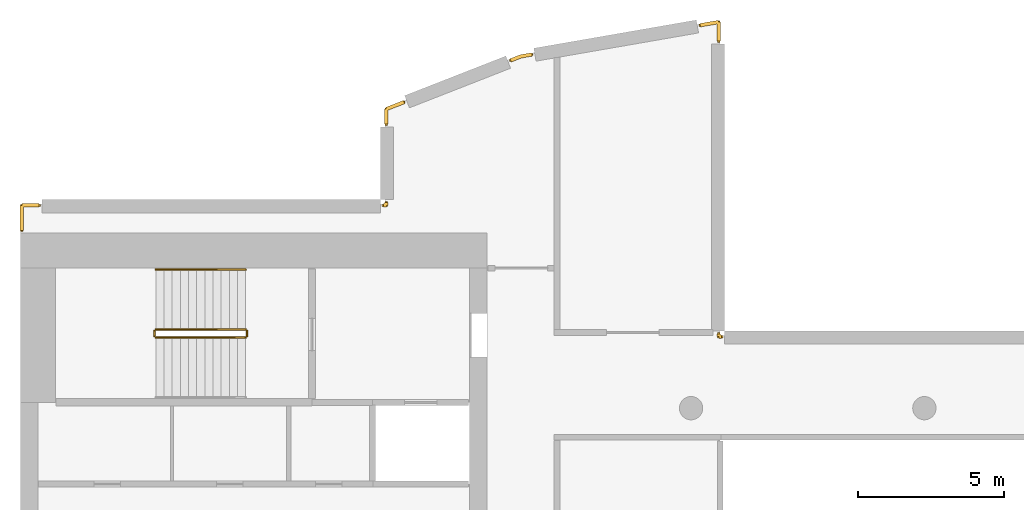
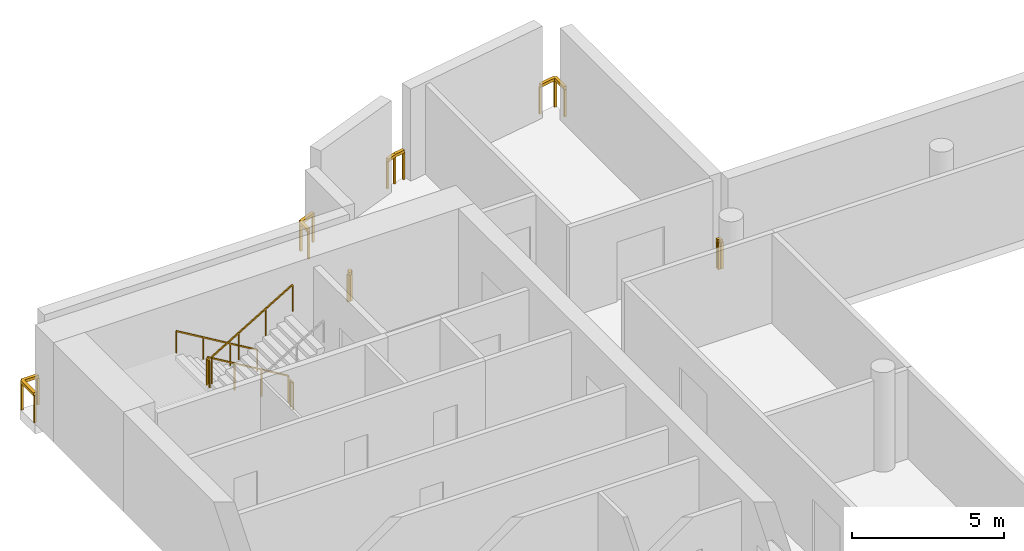
# One storey, part 7 of 8: 11 railings.
"""IFC4 building model written with IfcOpenShell, lengths in metres."""

from ifc_helpers import new_model, si_unit, direction, frame, origin, origin_2d, place, context, subcontext, project, spatial, rectangle, extrude, material, type_object, element, save


model = new_model("IFC4")

# Units and contexts
model_context = context("Model", 3, precision=1e-05, world=origin(), true_north=direction((0.0, 1.0)))
body_context = subcontext(model_context, "Body", "Model", "MODEL_VIEW")
ifc_project = project(units=[si_unit("LENGTHUNIT", "METRE"), si_unit("AREAUNIT", "SQUARE_METRE"), si_unit("VOLUMEUNIT", "CUBIC_METRE"), si_unit("PLANEANGLEUNIT", "RADIAN"), si_unit("MASSUNIT", "GRAM", prefix="KILO")], contexts=[model_context])

# Site, building, storey
site_placement = place(None, origin())
site = spatial("IfcSite", under=ifc_project, at=site_placement, CompositionType="ELEMENT")
building_placement = place(site_placement, origin())
building = spatial("IfcBuilding", under=site, at=building_placement, Name="Cypress Arch Tower", CompositionType="ELEMENT")
storey_placement = place(building_placement, frame((0.0, 0.0, 347.0)))
storey = spatial("IfcBuildingStorey", under=building, at=storey_placement, Name="L79", CompositionType="ELEMENT", Elevation=347.0)

# Railings
ifc_material_1 = material(Name="Stainless steel posts and handrail, laminated glass infill", Category="steel")
railing_type_1 = type_object("IfcRailingType", Name="Deck guard GR1200D", PredefinedType="GUARDRAIL", material=ifc_material_1)
railing_1_placement = place(storey_placement, frame((-29.949951171875, 16.10009765625, 0.0)))
element("IfcRailing", 1, at=railing_1_placement, inside=storey, type_object=railing_type_1, Name="Crown edge guard L79 2", PredefinedType="GUARDRAIL", context=body_context, shape_type="SweptSolid", body=[
    extrude(rectangle(XDim=0.1201171875, YDim=0.1201171875, at=origin_2d()), frame((0.0, 0.0, 1.139892578125), z_axis=(0.0, 1.0, 0.0), x_axis=(-1.0, 0.0, 0.0)), (0.0, 0.0, 1.0), 0.849853515625),
    extrude(rectangle(XDim=0.1201171875, YDim=0.1201171875, at=origin_2d()), frame((0.0, 0.849853515625, 1.139892578125), z_axis=(1.0, 0.0, 0.0), x_axis=(0.0, 1.0, 0.0)), (0.0, 0.0, 1.0), 0.599853515625),
    extrude(rectangle(XDim=0.080078125, YDim=0.080078125, at=origin_2d()), origin(), (0.0, 0.0, 1.0), 1.079833984375),
    extrude(rectangle(XDim=0.080078125, YDim=0.080078125, at=origin_2d()), frame((0.0, 0.849853515625, 0.0)), (0.0, 0.0, 1.0), 1.079833984375),
    extrude(rectangle(XDim=0.080078125, YDim=0.080078125, at=origin_2d()), frame((0.599853515625, 0.849853515625, 0.0)), (0.0, 0.0, 1.0), 1.079833984375),
])
railing_2_placement = place(storey_placement, frame((-17.550048828125, 16.949951171875, 0.0)))
element("IfcRailing", 2, at=railing_2_placement, inside=storey, type_object=railing_type_1, Name="Crown edge guard L79 5", PredefinedType="GUARDRAIL", context=body_context, shape_type="SweptSolid", body=[
    extrude(rectangle(XDim=0.1201171875, YDim=0.1201171875, at=origin_2d()), frame((0.0, 0.0, 1.139892578125), z_axis=(1.0, 0.0, 0.0), x_axis=(0.0, 1.0, 0.0)), (0.0, 0.0, 1.0), 0.10009765625),
    extrude(rectangle(XDim=0.1201171875, YDim=0.1201171875, at=origin_2d()), frame((0.10009765625, 0.0, 1.139892578125), z_axis=(0.0, 1.0, 0.0), x_axis=(-1.0, 0.0, 0.0)), (0.0, 0.0, 1.0), 0.10009765625),
    extrude(rectangle(XDim=0.080078125, YDim=0.080078125, at=origin_2d()), origin(), (0.0, 0.0, 1.0), 1.079833984375),
    extrude(rectangle(XDim=0.080078125, YDim=0.080078125, at=origin_2d()), frame((0.10009765625, 0.0, 0.0)), (0.0, 0.0, 1.0), 1.079833984375),
    extrude(rectangle(XDim=0.080078125, YDim=0.080078125, at=origin_2d()), frame((0.10009765625, 0.10009765625, 0.0)), (0.0, 0.0, 1.0), 1.079833984375),
])
railing_3_placement = place(storey_placement, frame((-17.449951171875, 19.7353515625, 0.0)))
element("IfcRailing", 3, at=railing_3_placement, inside=storey, type_object=railing_type_1, Name="Crown edge guard L79 6", PredefinedType="GUARDRAIL", context=body_context, shape_type="SweptSolid", body=[
    extrude(rectangle(XDim=0.1201171875, YDim=0.1201171875, at=origin_2d()), frame((0.0, 0.0, 1.139892578125), z_axis=(0.0, 1.0, 0.0), x_axis=(-1.0, 0.0, 0.0)), (0.0, 0.0, 1.0), 0.5205078125),
    extrude(rectangle(XDim=0.1201171875, YDim=0.1201171875, at=origin_2d()), frame((0.0, 0.5205078125, 1.139892578125), z_axis=(0.93118214657, 0.364554261954, 0.0), x_axis=(-0.364554261954, 0.93118214657, 0.0)), (0.0, 0.0, 1.0), 0.653564453125),
    extrude(rectangle(XDim=0.080078125, YDim=0.080078125, at=origin_2d()), origin(), (0.0, 0.0, 1.0), 1.079833984375),
    extrude(rectangle(XDim=0.080078125, YDim=0.080078125, at=origin_2d()), frame((0.0, 0.5205078125, 0.0)), (0.0, 0.0, 1.0), 1.079833984375),
    extrude(rectangle(XDim=0.080078125, YDim=0.080078125, at=origin_2d()), frame((0.608642578125, 0.7587890625, 0.0)), (0.0, 0.0, 1.0), 1.079833984375),
])
railing_4_placement = place(storey_placement, frame((-13.185791015625, 21.9248046875, 0.0)))
element("IfcRailing", 4, at=railing_4_placement, inside=storey, type_object=railing_type_1, Name="Crown edge guard L79 8", PredefinedType="GUARDRAIL", context=body_context, shape_type="SweptSolid", body=[
    extrude(rectangle(XDim=0.1201171875, YDim=0.1201171875, at=origin_2d()), frame((0.0, 0.0, 1.139892578125), z_axis=(0.931233178051, 0.364423885191, 0.0), x_axis=(-0.364423885191, 0.931233178051, 0.0)), (0.0, 0.0, 1.0), 0.375244140625),
    extrude(rectangle(XDim=0.1201171875, YDim=0.1201171875, at=origin_2d()), frame((0.349365234375, 0.13671875, 1.139892578125), z_axis=(0.985183769906, 0.171502010235, 0.0), x_axis=(-0.171502010235, 0.985183769906, 0.0)), (0.0, 0.0, 1.0), 0.38427734375),
    extrude(rectangle(XDim=0.080078125, YDim=0.080078125, at=origin_2d()), origin(), (0.0, 0.0, 1.0), 1.079833984375),
    extrude(rectangle(XDim=0.080078125, YDim=0.080078125, at=origin_2d()), frame((0.349365234375, 0.13671875, 0.0)), (0.0, 0.0, 1.0), 1.079833984375),
    extrude(rectangle(XDim=0.080078125, YDim=0.080078125, at=origin_2d()), frame((0.72802734375, 0.20263671875, 0.0)), (0.0, 0.0, 1.0), 1.079833984375),
])
railing_5_placement = place(storey_placement, frame((-6.6875, 23.1298828125, 0.0)))
element("IfcRailing", 5, at=railing_5_placement, inside=storey, type_object=railing_type_1, Name="Crown edge guard L79 10", PredefinedType="GUARDRAIL", context=body_context, shape_type="SweptSolid", body=[
    extrude(rectangle(XDim=0.1201171875, YDim=0.1201171875, at=origin_2d()), frame((0.0, 0.0, 1.139892578125), z_axis=(0.985280914319, 0.170943031094, 0.0), x_axis=(-0.170943031094, 0.985280914319, 0.0)), (0.0, 0.0, 1.0), 0.64697265625),
    extrude(rectangle(XDim=0.1201171875, YDim=0.1201171875, at=origin_2d()), frame((0.637451171875, 0.110595703125, 1.139892578125), z_axis=(0.0, -1.0, 0.0), x_axis=(1.0, 0.0, 0.0)), (0.0, 0.0, 1.0), 0.65380859375),
    extrude(rectangle(XDim=0.080078125, YDim=0.080078125, at=origin_2d()), origin(), (0.0, 0.0, 1.0), 1.079833984375),
    extrude(rectangle(XDim=0.080078125, YDim=0.080078125, at=origin_2d()), frame((0.637451171875, 0.110595703125, 0.0)), (0.0, 0.0, 1.0), 1.079833984375),
    extrude(rectangle(XDim=0.080078125, YDim=0.080078125, at=origin_2d()), frame((0.637451171875, -0.543212890625, 0.0)), (0.0, 0.0, 1.0), 1.079833984375),
])
railing_6_placement = place(storey_placement, frame((-6.050048828125, 12.550048828125, 0.0)))
element("IfcRailing", 6, at=railing_6_placement, inside=storey, type_object=railing_type_1, Name="Crown edge guard L79 11", PredefinedType="GUARDRAIL", context=body_context, shape_type="SweptSolid", body=[
    extrude(rectangle(XDim=0.1201171875, YDim=0.1201171875, at=origin_2d()), frame((0.0, 0.0, 1.139892578125), z_axis=(0.0, -1.0, 0.0), x_axis=(1.0, 0.0, 0.0)), (0.0, 0.0, 1.0), 0.10009765625),
    extrude(rectangle(XDim=0.1201171875, YDim=0.1201171875, at=origin_2d()), frame((0.0, -0.10009765625, 1.139892578125), z_axis=(1.0, 0.0, 0.0), x_axis=(0.0, 1.0, 0.0)), (0.0, 0.0, 1.0), 0.10009765625),
    extrude(rectangle(XDim=0.080078125, YDim=0.080078125, at=origin_2d()), origin(), (0.0, 0.0, 1.0), 1.079833984375),
    extrude(rectangle(XDim=0.080078125, YDim=0.080078125, at=origin_2d()), frame((0.0, -0.10009765625, 0.0)), (0.0, 0.0, 1.0), 1.079833984375),
    extrude(rectangle(XDim=0.080078125, YDim=0.080078125, at=origin_2d()), frame((0.10009765625, -0.10009765625, 0.0)), (0.0, 0.0, 1.0), 1.079833984375),
])
ifc_material_2 = material(Name="Black powder-coated steel square bar 48 mm", Category="steel")
railing_type_2 = type_object("IfcRailingType", Name="Stair handrail HR1", PredefinedType="HANDRAIL", material=ifc_material_2)
railing_7_placement = place(storey_placement, frame((-22.27490234375, 14.75, 0.166748046875)))
element("IfcRailing", 7, at=railing_7_placement, inside=storey, type_object=railing_type_2, Name="L79 B stair handrail 1", PredefinedType="HANDRAIL", context=body_context, shape_type="SweptSolid", body=[
    extrude(rectangle(XDim=0.048095703125, YDim=0.048095703125, at=origin_2d()), frame((0.0, 0.0, 0.8759765625), z_axis=(-0.859308565015, 0.0, 0.511457515432), x_axis=(0.0, -1.0, 0.0)), (0.0, 0.0, 1.0), 3.58447265625),
    extrude(rectangle(XDim=0.0419921875, YDim=0.0419921875, at=origin_2d()), origin(), (0.0, 0.0, 1.0), 0.851806640625),
    extrude(rectangle(XDim=0.0419921875, YDim=0.0419921875, at=origin_2d()), frame((-1.026611328125, 0.0, 0.611083984375)), (0.0, 0.0, 1.0), 0.851806640625),
    extrude(rectangle(XDim=0.0419921875, YDim=0.0419921875, at=origin_2d()), frame((-2.053466796875, 0.0, 1.22216796875)), (0.0, 0.0, 1.0), 0.851806640625),
    extrude(rectangle(XDim=0.0419921875, YDim=0.0419921875, at=origin_2d()), frame((-3.080078125, 0.0, 1.833251953125)), (0.0, 0.0, 1.0), 0.851806640625),
])
ifc_material_3 = material(Name="Black powder-coated steel balusters", Category="steel")
railing_type_3 = type_object("IfcRailingType", Name="Stair well guard G1", PredefinedType="GUARDRAIL", material=ifc_material_3)
railing_8_placement = place(storey_placement, frame((-22.27490234375, 12.699951171875, 0.166748046875)))
element("IfcRailing", 8, at=railing_8_placement, inside=storey, type_object=railing_type_3, Name="L79 B stair guard 1", PredefinedType="GUARDRAIL", context=body_context, shape_type="SweptSolid", body=[
    extrude(rectangle(XDim=0.048095703125, YDim=0.048095703125, at=origin_2d()), frame((0.0, 0.0, 1.076171875), z_axis=(-0.859308565015, 0.0, 0.511457515432), x_axis=(0.0, -1.0, 0.0)), (0.0, 0.0, 1.0), 3.58447265625),
    extrude(rectangle(XDim=0.0419921875, YDim=0.0419921875, at=origin_2d()), origin(), (0.0, 0.0, 1.0), 1.052001953125),
    extrude(rectangle(XDim=0.0419921875, YDim=0.0419921875, at=origin_2d()), frame((-1.026611328125, 0.0, 0.611083984375)), (0.0, 0.0, 1.0), 1.052001953125),
    extrude(rectangle(XDim=0.0419921875, YDim=0.0419921875, at=origin_2d()), frame((-2.053466796875, 0.0, 1.22216796875)), (0.0, 0.0, 1.0), 1.052001953125),
    extrude(rectangle(XDim=0.0419921875, YDim=0.0419921875, at=origin_2d()), frame((-3.080078125, 0.0, 1.833251953125)), (0.0, 0.0, 1.0), 1.052001953125),
])
railing_9_placement = place(storey_placement, frame((-25.405029296875, 12.64990234375, 2.0)))
element("IfcRailing", 9, at=railing_9_placement, inside=storey, type_object=railing_type_3, Name="L79 B stair guard 2", PredefinedType="GUARDRAIL", context=body_context, shape_type="SweptSolid", body=[
    extrude(rectangle(XDim=0.048095703125, YDim=0.048095703125, at=origin_2d()), frame((0.0, 0.0, 1.076171875), z_axis=(0.0, -1.0, 0.0), x_axis=(1.0, 0.0, 0.0)), (0.0, 0.0, 1.0), 0.1748046875),
    extrude(rectangle(XDim=0.0419921875, YDim=0.0419921875, at=origin_2d()), origin(), (0.0, 0.0, 1.0), 1.052001953125),
    extrude(rectangle(XDim=0.0419921875, YDim=0.0419921875, at=origin_2d()), frame((0.0, -0.1748046875, 0.0)), (0.0, 0.0, 1.0), 1.052001953125),
])
railing_10_placement = place(storey_placement, frame((-25.35498046875, 12.425048828125, 2.166748046875)))
element("IfcRailing", 10, at=railing_10_placement, inside=storey, type_object=railing_type_3, Name="L79 B stair guard 3", PredefinedType="GUARDRAIL", context=body_context, shape_type="SweptSolid", body=[
    extrude(rectangle(XDim=0.048095703125, YDim=0.048095703125, at=origin_2d()), frame((0.0, 0.0, 1.076171875), z_axis=(0.859308565015, 0.0, 0.511457515432), x_axis=(0.0, 1.0, 0.0)), (0.0, 0.0, 1.0), 3.58447265625),
    extrude(rectangle(XDim=0.0419921875, YDim=0.0419921875, at=origin_2d()), origin(), (0.0, 0.0, 1.0), 1.052001953125),
    extrude(rectangle(XDim=0.0419921875, YDim=0.0419921875, at=origin_2d()), frame((1.026611328125, 0.0, 0.611083984375)), (0.0, 0.0, 1.0), 1.052001953125),
    extrude(rectangle(XDim=0.0419921875, YDim=0.0419921875, at=origin_2d()), frame((2.053466796875, 0.0, 1.22216796875)), (0.0, 0.0, 1.0), 1.052001953125),
    extrude(rectangle(XDim=0.0419921875, YDim=0.0419921875, at=origin_2d()), frame((3.080078125, 0.0, 1.833251953125)), (0.0, 0.0, 1.0), 1.052001953125),
])
railing_11_placement = place(storey_placement, frame((-22.22509765625, 12.64990234375, 0.0)))
element("IfcRailing", 11, at=railing_11_placement, inside=storey, type_object=railing_type_3, Name="L79 B stair guard 4", PredefinedType="GUARDRAIL", context=body_context, shape_type="SweptSolid", body=[
    extrude(rectangle(XDim=0.048095703125, YDim=0.048095703125, at=origin_2d()), frame((0.0, 0.0, 1.076171875), z_axis=(0.0, -1.0, 0.0), x_axis=(1.0, 0.0, 0.0)), (0.0, 0.0, 1.0), 0.1748046875),
    extrude(rectangle(XDim=0.0419921875, YDim=0.0419921875, at=origin_2d()), origin(), (0.0, 0.0, 1.0), 1.052001953125),
    extrude(rectangle(XDim=0.0419921875, YDim=0.0419921875, at=origin_2d()), frame((0.0, -0.1748046875, 0.0)), (0.0, 0.0, 1.0), 1.052001953125),
])

save(model, "model.ifc")
